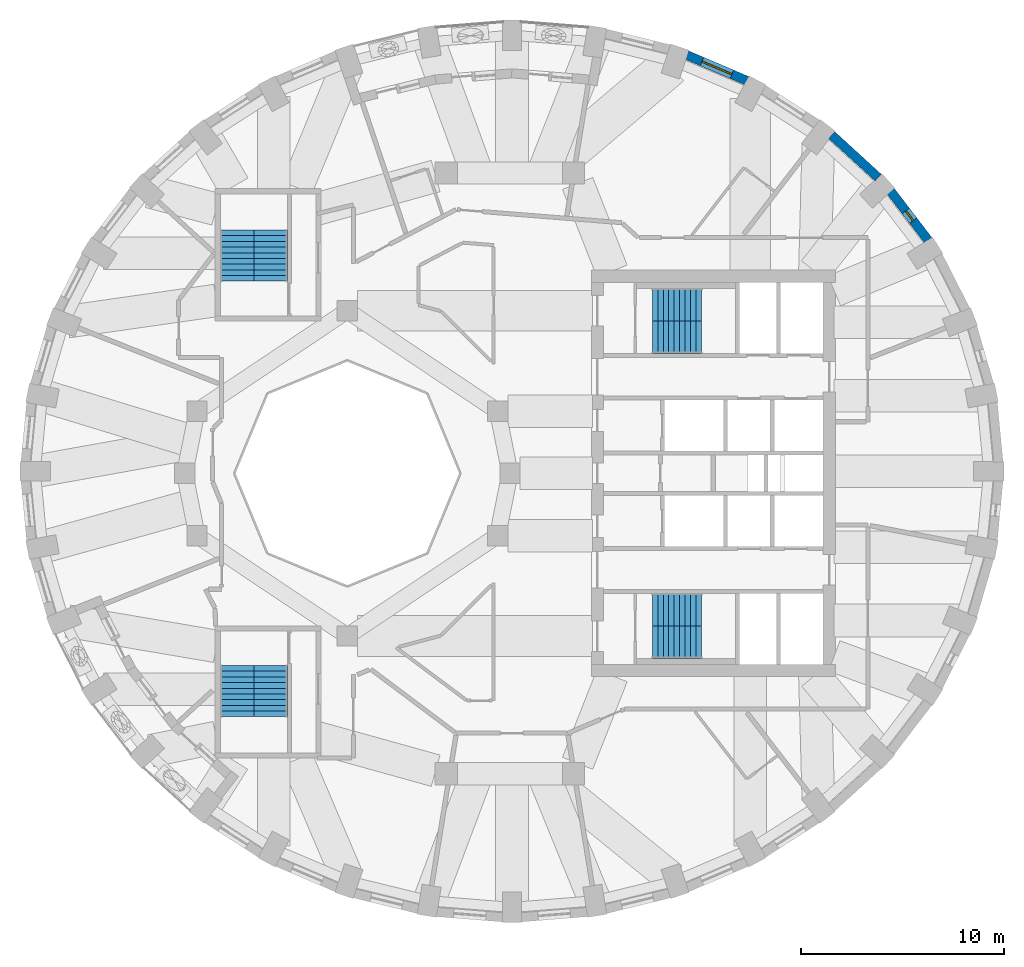
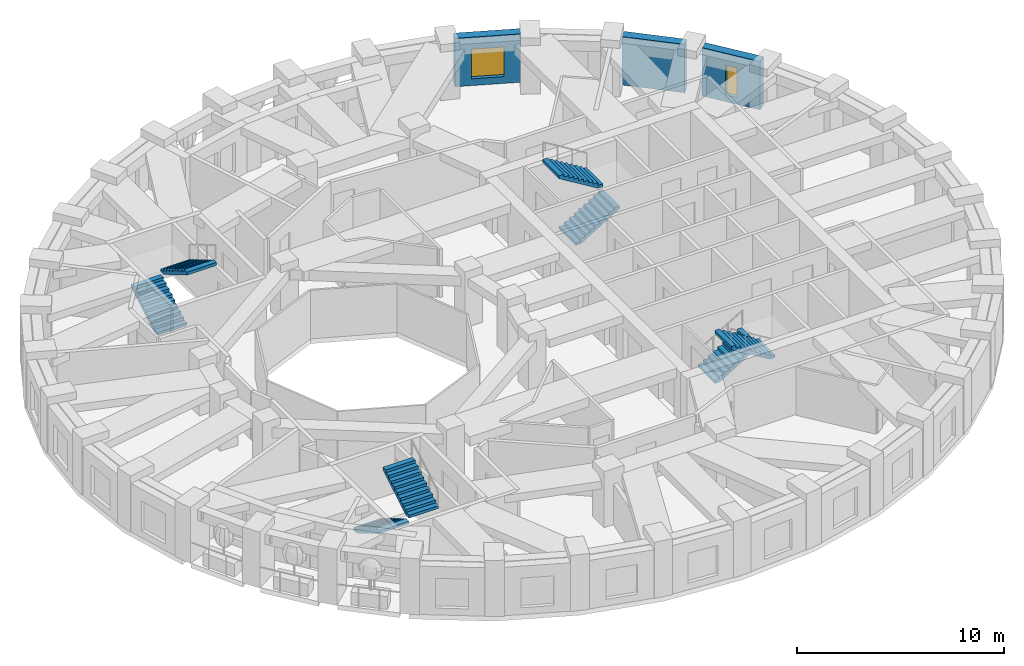
# One storey, part 8 of 11: 8 stair flights, 3 walls, 2 windows, 2 openings, 4 elements without a shape of their own.
"""IFC4 building model written with IfcOpenShell, lengths in metres."""

from ifc_helpers import new_model, si_unit, direction, frame, frame_2d, origin, place, context, subcontext, project, spatial, polyline, rectangle, outline, extrude, material, layer, layer_set, type_object, element, fill, aggregate, save


model = new_model("IFC4")

# Units and contexts
model_context = context("Model", 3, precision=1e-05, world=origin(), true_north=direction((0.0, 1.0)))
body_context = subcontext(model_context, "Body", "Model", "MODEL_VIEW")
ifc_project = project(units=[si_unit("LENGTHUNIT", "METRE"), si_unit("AREAUNIT", "SQUARE_METRE"), si_unit("VOLUMEUNIT", "CUBIC_METRE"), si_unit("PLANEANGLEUNIT", "RADIAN"), si_unit("MASSUNIT", "GRAM", prefix="KILO")], contexts=[model_context])

# Site, building, storey
site_placement = place(None, origin())
site = spatial("IfcSite", under=ifc_project, at=site_placement, CompositionType="ELEMENT")
building_placement = place(site_placement, origin())
building = spatial("IfcBuilding", under=site, at=building_placement, Name="Taillehof Tower", CompositionType="ELEMENT")
storey_placement = place(building_placement, frame((0.0, 0.0, 181.39990234375)))
storey = spatial("IfcBuildingStorey", under=building, at=storey_placement, Name="L51", CompositionType="ELEMENT", Elevation=181.39990234375)

# Wall, opening, window
ifc_material_1 = material(Name="Brick masonry", Category="masonry")
ifc_layer = layer(ifc_material_1, 0.449951171875)
ifc_layer_set = layer_set([ifc_layer], Name="Brick infill wall 450")
wall_type = type_object("IfcWallType", Name="Brick infill wall 450", PredefinedType="SOLIDWALL", material=ifc_layer_set)
wall_1_placement = place(storey_placement, frame((20.573974609375, 11.467041015625, 0.0), z_axis=(0.0, 0.0, 1.0), x_axis=(-0.607817056371, 0.794077090706, 0.0)))
wall_1 = element("IfcWall", 1, at=wall_1_placement, inside=storey, type_object=wall_type, Name="Brick wall L51 bay 4", PredefinedType="SOLIDWALL", context=body_context, shape_type="SweptSolid", body=[
    extrude(rectangle(XDim=3.037109375, YDim=0.449951171875, at=frame_2d((1.5185546875, 0.0))), origin(), (0.0, 0.0, 1.0), 2.85009765625),
])
opening_1_placement = place(wall_1_placement, frame((1.218505859375, 0.0, 0.39990234375)))
opening_1 = element("IfcOpeningElement", 2, at=opening_1_placement, cuts=wall_1, Name="Opening W6", PredefinedType="OPENING", context=body_context, shape_type="SweptSolid", body=[
    extrude(rectangle(XDim=0.60009765625, YDim=1.75, at=frame_2d((0.300048828125, 0.875))), frame((0.0, 0.23486328125, 0.0), z_axis=(0.0, -1.0, 0.0), x_axis=(1.0, 0.0, 0.0)), (0.0, 0.0, 1.0), 0.469970703125),
])
ifc_material_2 = material(Name="Aluminium window frame with clear double glazing", Category="aluminium")
window_type_1 = type_object("IfcWindowType", Name="Slot window 600x1750", PartitioningType="SINGLE_PANEL", PredefinedType="WINDOW", material=ifc_material_2)
window_1_placement = place(opening_1_placement, origin())
window_1 = element("IfcWindow", 3, at=window_1_placement, inside=storey, type_object=window_type_1, Name="W6", OverallHeight=1.75, OverallWidth=0.60009765625, PartitioningType="SINGLE_PANEL", PredefinedType="WINDOW", context=body_context, shape_type="SweptSolid", body=[
    extrude(rectangle(XDim=0.60009765625, YDim=1.75, at=frame_2d((0.300048828125, 0.875))), frame((0.0, 0.034912109375, 0.0), z_axis=(0.0, -1.0, 0.0), x_axis=(1.0, 0.0, 0.0)), (0.0, 0.0, 1.0), 0.06005859375),
])
fill(opening_1, window_1)

# Wall
wall_2_placement = place(storey_placement, frame((18.11328125, 14.5498046875, 0.0), z_axis=(0.0, 0.0, 1.0), x_axis=(-0.737808755941, 0.675009807082, 0.0)))
element("IfcWall", 4, at=wall_2_placement, inside=storey, type_object=wall_type, Name="Brick wall L51 bay 5", PredefinedType="SOLIDWALL", context=body_context, shape_type="SweptSolid", body=[
    extrude(rectangle(XDim=3.094482421875, YDim=0.449951171875, at=frame_2d((1.54736328125, 0.0))), origin(), (0.0, 0.0, 1.0), 2.85009765625),
])

# Wall, opening, window
wall_3_placement = place(storey_placement, frame((11.650390625, 19.318603515625, 0.0), z_axis=(0.0, 0.0, 1.0), x_axis=(-0.91981046949, 0.392362969986, 0.0)))
wall_3 = element("IfcWall", 5, at=wall_3_placement, inside=storey, type_object=wall_type, Name="Brick wall L51 bay 7", PredefinedType="SOLIDWALL", context=body_context, shape_type="SweptSolid", body=[
    extrude(rectangle(XDim=3.20068359375, YDim=0.449951171875, at=frame_2d((1.600341796875, 0.0))), origin(), (0.0, 0.0, 1.0), 2.85009765625),
])
opening_2_placement = place(wall_3_placement, frame((0.80029296875, 0.0, 0.39990234375)))
opening_2 = element("IfcOpeningElement", 6, at=opening_2_placement, cuts=wall_3, Name="Opening W3", PredefinedType="OPENING", context=body_context, shape_type="SweptSolid", body=[
    extrude(rectangle(XDim=1.60009765625, YDim=1.75, at=frame_2d((0.800048828125, 0.875))), frame((0.0, 0.23486328125, 0.0), z_axis=(0.0, -1.0, 0.0), x_axis=(1.0, 0.0, 0.0)), (0.0, 0.0, 1.0), 0.469970703125),
])
ifc_material_3 = material(Name="Aluminium window frame with clear double glazing", Category="aluminium")
window_type_2 = type_object("IfcWindowType", Name="Deep-set window 1600x1750", PartitioningType="SINGLE_PANEL", PredefinedType="WINDOW", material=ifc_material_3)
window_2_placement = place(opening_2_placement, origin())
window_2 = element("IfcWindow", 7, at=window_2_placement, inside=storey, type_object=window_type_2, Name="W3", OverallHeight=1.75, OverallWidth=1.60009765625, PartitioningType="SINGLE_PANEL", PredefinedType="WINDOW", context=body_context, shape_type="SweptSolid", body=[
    extrude(rectangle(XDim=1.60009765625, YDim=1.75, at=frame_2d((0.800048828125, 0.875))), frame((0.0, 0.034912109375, 0.0), z_axis=(0.0, -1.0, 0.0), x_axis=(1.0, 0.0, 0.0)), (0.0, 0.0, 1.0), 0.06005859375),
])
fill(opening_2, window_2)

# Stair, stair flights
ifc_material_4 = material(Name="Concrete C40/50", Category="concrete")
stair_type = type_object("IfcStairType", Name="Exit stair half-turn", PredefinedType="HALF_TURN_STAIR", material=ifc_material_4)
stair_1_placement = place(storey_placement, origin())
stair_1 = element("IfcStair", 8, at=stair_1_placement, inside=storey, type_object=stair_type, Name="Exit stair S1", PredefinedType="HALF_TURN_STAIR")
ifc_material_5 = material(Name="Concrete C40/50", Category="concrete")
stair_flight_type_1 = type_object("IfcStairFlightType", Name="Stair flight 1600 riser 165.0 going 270", PredefinedType="STRAIGHT", material=ifc_material_5)
stair_flight_1_placement = place(storey_placement, frame((7.0, 6.699951171875, 0.0), z_axis=(0.0, 0.0, 1.0), x_axis=(1.0, 0.0, 0.0)))
stair_flight_1 = element("IfcStairFlight", 9, at=stair_flight_1_placement, type_object=stair_flight_type_1, Name="S1 flight 1", NumberOfRisers=10, NumberOfTreads=9, PredefinedType="STRAIGHT", RiserHeight=0.165, TreadLength=0.27, context=body_context, shape_type="SweptSolid", body=[
    extrude(outline(polyline([(0.0, 0.0), (0.0, 0.00537109375), (0.0, 0.0107421875), (0.0, 0.015869140625), (0.0, 0.021240234375), (0.0, 0.026611328125), (0.0, 0.031982421875), (0.0, 0.037353515625), (0.0, 0.04248046875), (0.0, 0.0478515625), (0.0, 0.05322265625), (0.0, 0.05859375), (0.0, 0.06396484375), (0.0, 0.069091796875), (0.0, 0.074462890625), (0.0, 0.079833984375), (0.0, 0.085205078125), (0.0, 0.090576171875), (0.0, 0.095703125), (0.0, 0.10107421875), (0.0, 0.1064453125), (0.0, 0.11181640625), (0.0, 0.1171875), (0.0, 0.122314453125), (0.0, 0.127685546875), (0.0, 0.133056640625), (0.0, 0.138427734375), (0.0, 0.143798828125), (0.0, 0.14892578125), (0.0, 0.154296875), (0.0, 0.15966796875), (0.0, 0.1650390625), (0.27001953125, 0.1650390625), (0.27001953125, 0.330078125), (0.5400390625, 0.330078125), (0.5400390625, 0.4951171875), (0.81005859375, 0.4951171875), (0.81005859375, 0.659912109375), (1.080078125, 0.659912109375), (1.080078125, 0.824951171875), (1.35009765625, 0.824951171875), (1.35009765625, 0.989990234375), (1.6201171875, 0.989990234375), (1.6201171875, 1.155029296875), (1.889892578125, 1.155029296875), (1.889892578125, 1.320068359375), (2.159912109375, 1.320068359375), (2.159912109375, 1.485107421875), (2.429931640625, 1.485107421875), (2.429931640625, 1.479248046875), (2.429931640625, 1.4736328125), (2.429931640625, 1.468017578125), (2.429931640625, 1.46240234375), (2.429931640625, 1.45654296875), (2.429931640625, 1.450927734375), (2.429931640625, 1.4453125), (2.429931640625, 1.439697265625), (2.429931640625, 1.43408203125), (2.429931640625, 1.42822265625), (2.429931640625, 1.422607421875), (2.429931640625, 1.4169921875), (2.429931640625, 1.411376953125), (2.429931640625, 1.40576171875), (2.429931640625, 1.39990234375), (2.429931640625, 1.394287109375), (2.429931640625, 1.388671875), (2.429931640625, 1.383056640625), (2.429931640625, 1.37744140625), (2.429931640625, 1.37158203125), (2.429931640625, 1.365966796875), (2.429931640625, 1.3603515625), (2.429931640625, 1.354736328125), (2.429931640625, 1.348876953125), (2.429931640625, 1.34326171875), (2.429931640625, 1.337646484375), (2.429931640625, 1.33203125), (2.429931640625, 1.326416015625), (2.429931640625, 1.320556640625), (2.429931640625, 1.31494140625), (2.429931640625, 1.309326171875), (0.287353515625, 0.0), (0.0, 0.0)])), frame((0.0, 0.800048828125, 0.0), z_axis=(0.0, -1.0, 0.0), x_axis=(1.0, 0.0, 0.0)), (0.0, 0.0, 1.0), 1.6),
])
stair_flight_2_placement = place(storey_placement, frame((9.429931640625, 8.300048828125, 1.650146484375), z_axis=(0.0, 0.0, 1.0), x_axis=(-1.0, 0.0, 0.0)))
stair_flight_2 = element("IfcStairFlight", 10, at=stair_flight_2_placement, type_object=stair_flight_type_1, Name="S1 flight 2", NumberOfRisers=10, NumberOfTreads=9, PredefinedType="STRAIGHT", RiserHeight=0.165, TreadLength=0.27, context=body_context, shape_type="SweptSolid", body=[
    extrude(outline(polyline([(0.0, 0.0), (0.0, 0.00537109375), (0.0, 0.0107421875), (0.0, 0.015869140625), (0.0, 0.021240234375), (0.0, 0.026611328125), (0.0, 0.031982421875), (0.0, 0.037353515625), (0.0, 0.04248046875), (0.0, 0.0478515625), (0.0, 0.05322265625), (0.0, 0.05859375), (0.0, 0.06396484375), (0.0, 0.069091796875), (0.0, 0.074462890625), (0.0, 0.079833984375), (0.0, 0.085205078125), (0.0, 0.090576171875), (0.0, 0.095703125), (0.0, 0.10107421875), (0.0, 0.1064453125), (0.0, 0.11181640625), (0.0, 0.1171875), (0.0, 0.122314453125), (0.0, 0.127685546875), (0.0, 0.133056640625), (0.0, 0.138427734375), (0.0, 0.143798828125), (0.0, 0.14892578125), (0.0, 0.154296875), (0.0, 0.15966796875), (0.0, 0.1650390625), (0.27001953125, 0.1650390625), (0.27001953125, 0.330078125), (0.5400390625, 0.330078125), (0.5400390625, 0.4951171875), (0.81005859375, 0.4951171875), (0.81005859375, 0.659912109375), (1.080078125, 0.659912109375), (1.080078125, 0.824951171875), (1.35009765625, 0.824951171875), (1.35009765625, 0.989990234375), (1.6201171875, 0.989990234375), (1.6201171875, 1.155029296875), (1.889892578125, 1.155029296875), (1.889892578125, 1.320068359375), (2.159912109375, 1.320068359375), (2.159912109375, 1.485107421875), (2.429931640625, 1.485107421875), (2.429931640625, 1.479248046875), (2.429931640625, 1.4736328125), (2.429931640625, 1.468017578125), (2.429931640625, 1.46240234375), (2.429931640625, 1.45654296875), (2.429931640625, 1.450927734375), (2.429931640625, 1.4453125), (2.429931640625, 1.439697265625), (2.429931640625, 1.43408203125), (2.429931640625, 1.42822265625), (2.429931640625, 1.422607421875), (2.429931640625, 1.4169921875), (2.429931640625, 1.411376953125), (2.429931640625, 1.40576171875), (2.429931640625, 1.39990234375), (2.429931640625, 1.394287109375), (2.429931640625, 1.388671875), (2.429931640625, 1.383056640625), (2.429931640625, 1.37744140625), (2.429931640625, 1.37158203125), (2.429931640625, 1.365966796875), (2.429931640625, 1.3603515625), (2.429931640625, 1.354736328125), (2.429931640625, 1.348876953125), (2.429931640625, 1.34326171875), (2.429931640625, 1.337646484375), (2.429931640625, 1.33203125), (2.429931640625, 1.326416015625), (2.429931640625, 1.320556640625), (2.429931640625, 1.31494140625), (2.429931640625, 1.309326171875), (0.287353515625, 0.0), (0.0, 0.0)])), frame((0.0, 0.800048828125, 0.0), z_axis=(0.0, -1.0, 0.0), x_axis=(1.0, 0.0, 0.0)), (0.0, 0.0, 1.0), 1.6),
])
aggregate(stair_1, [stair_flight_1, stair_flight_2])

stair_2_placement = place(storey_placement, origin())
stair_2 = element("IfcStair", 11, at=stair_2_placement, inside=storey, type_object=stair_type, Name="Exit stair S2", PredefinedType="HALF_TURN_STAIR")
stair_flight_3_placement = place(storey_placement, frame((7.0, -6.699951171875, 0.0), z_axis=(0.0, 0.0, 1.0), x_axis=(1.0, 0.0, 0.0)))
stair_flight_3 = element("IfcStairFlight", 12, at=stair_flight_3_placement, type_object=stair_flight_type_1, Name="S2 flight 1", NumberOfRisers=10, NumberOfTreads=9, PredefinedType="STRAIGHT", RiserHeight=0.165, TreadLength=0.27, context=body_context, shape_type="SweptSolid", body=[
    extrude(outline(polyline([(0.0, 0.0), (0.0, 0.00537109375), (0.0, 0.0107421875), (0.0, 0.015869140625), (0.0, 0.021240234375), (0.0, 0.026611328125), (0.0, 0.031982421875), (0.0, 0.037353515625), (0.0, 0.04248046875), (0.0, 0.0478515625), (0.0, 0.05322265625), (0.0, 0.05859375), (0.0, 0.06396484375), (0.0, 0.069091796875), (0.0, 0.074462890625), (0.0, 0.079833984375), (0.0, 0.085205078125), (0.0, 0.090576171875), (0.0, 0.095703125), (0.0, 0.10107421875), (0.0, 0.1064453125), (0.0, 0.11181640625), (0.0, 0.1171875), (0.0, 0.122314453125), (0.0, 0.127685546875), (0.0, 0.133056640625), (0.0, 0.138427734375), (0.0, 0.143798828125), (0.0, 0.14892578125), (0.0, 0.154296875), (0.0, 0.15966796875), (0.0, 0.1650390625), (0.27001953125, 0.1650390625), (0.27001953125, 0.330078125), (0.5400390625, 0.330078125), (0.5400390625, 0.4951171875), (0.81005859375, 0.4951171875), (0.81005859375, 0.659912109375), (1.080078125, 0.659912109375), (1.080078125, 0.824951171875), (1.35009765625, 0.824951171875), (1.35009765625, 0.989990234375), (1.6201171875, 0.989990234375), (1.6201171875, 1.155029296875), (1.889892578125, 1.155029296875), (1.889892578125, 1.320068359375), (2.159912109375, 1.320068359375), (2.159912109375, 1.485107421875), (2.429931640625, 1.485107421875), (2.429931640625, 1.479248046875), (2.429931640625, 1.4736328125), (2.429931640625, 1.468017578125), (2.429931640625, 1.46240234375), (2.429931640625, 1.45654296875), (2.429931640625, 1.450927734375), (2.429931640625, 1.4453125), (2.429931640625, 1.439697265625), (2.429931640625, 1.43408203125), (2.429931640625, 1.42822265625), (2.429931640625, 1.422607421875), (2.429931640625, 1.4169921875), (2.429931640625, 1.411376953125), (2.429931640625, 1.40576171875), (2.429931640625, 1.39990234375), (2.429931640625, 1.394287109375), (2.429931640625, 1.388671875), (2.429931640625, 1.383056640625), (2.429931640625, 1.37744140625), (2.429931640625, 1.37158203125), (2.429931640625, 1.365966796875), (2.429931640625, 1.3603515625), (2.429931640625, 1.354736328125), (2.429931640625, 1.348876953125), (2.429931640625, 1.34326171875), (2.429931640625, 1.337646484375), (2.429931640625, 1.33203125), (2.429931640625, 1.326416015625), (2.429931640625, 1.320556640625), (2.429931640625, 1.31494140625), (2.429931640625, 1.309326171875), (0.287353515625, 0.0), (0.0, 0.0)])), frame((0.0, 0.800048828125, 0.0), z_axis=(0.0, -1.0, 0.0), x_axis=(1.0, 0.0, 0.0)), (0.0, 0.0, 1.0), 1.6),
])
stair_flight_4_placement = place(storey_placement, frame((9.429931640625, -8.300048828125, 1.650146484375), z_axis=(0.0, 0.0, 1.0), x_axis=(-1.0, 0.0, 0.0)))
stair_flight_4 = element("IfcStairFlight", 13, at=stair_flight_4_placement, type_object=stair_flight_type_1, Name="S2 flight 2", NumberOfRisers=10, NumberOfTreads=9, PredefinedType="STRAIGHT", RiserHeight=0.165, TreadLength=0.27, context=body_context, shape_type="SweptSolid", body=[
    extrude(outline(polyline([(0.0, 0.0), (0.0, 0.00537109375), (0.0, 0.0107421875), (0.0, 0.015869140625), (0.0, 0.021240234375), (0.0, 0.026611328125), (0.0, 0.031982421875), (0.0, 0.037353515625), (0.0, 0.04248046875), (0.0, 0.0478515625), (0.0, 0.05322265625), (0.0, 0.05859375), (0.0, 0.06396484375), (0.0, 0.069091796875), (0.0, 0.074462890625), (0.0, 0.079833984375), (0.0, 0.085205078125), (0.0, 0.090576171875), (0.0, 0.095703125), (0.0, 0.10107421875), (0.0, 0.1064453125), (0.0, 0.11181640625), (0.0, 0.1171875), (0.0, 0.122314453125), (0.0, 0.127685546875), (0.0, 0.133056640625), (0.0, 0.138427734375), (0.0, 0.143798828125), (0.0, 0.14892578125), (0.0, 0.154296875), (0.0, 0.15966796875), (0.0, 0.1650390625), (0.27001953125, 0.1650390625), (0.27001953125, 0.330078125), (0.5400390625, 0.330078125), (0.5400390625, 0.4951171875), (0.81005859375, 0.4951171875), (0.81005859375, 0.659912109375), (1.080078125, 0.659912109375), (1.080078125, 0.824951171875), (1.35009765625, 0.824951171875), (1.35009765625, 0.989990234375), (1.6201171875, 0.989990234375), (1.6201171875, 1.155029296875), (1.889892578125, 1.155029296875), (1.889892578125, 1.320068359375), (2.159912109375, 1.320068359375), (2.159912109375, 1.485107421875), (2.429931640625, 1.485107421875), (2.429931640625, 1.479248046875), (2.429931640625, 1.4736328125), (2.429931640625, 1.468017578125), (2.429931640625, 1.46240234375), (2.429931640625, 1.45654296875), (2.429931640625, 1.450927734375), (2.429931640625, 1.4453125), (2.429931640625, 1.439697265625), (2.429931640625, 1.43408203125), (2.429931640625, 1.42822265625), (2.429931640625, 1.422607421875), (2.429931640625, 1.4169921875), (2.429931640625, 1.411376953125), (2.429931640625, 1.40576171875), (2.429931640625, 1.39990234375), (2.429931640625, 1.394287109375), (2.429931640625, 1.388671875), (2.429931640625, 1.383056640625), (2.429931640625, 1.37744140625), (2.429931640625, 1.37158203125), (2.429931640625, 1.365966796875), (2.429931640625, 1.3603515625), (2.429931640625, 1.354736328125), (2.429931640625, 1.348876953125), (2.429931640625, 1.34326171875), (2.429931640625, 1.337646484375), (2.429931640625, 1.33203125), (2.429931640625, 1.326416015625), (2.429931640625, 1.320556640625), (2.429931640625, 1.31494140625), (2.429931640625, 1.309326171875), (0.287353515625, 0.0), (0.0, 0.0)])), frame((0.0, 0.800048828125, 0.0), z_axis=(0.0, -1.0, 0.0), x_axis=(1.0, 0.0, 0.0)), (0.0, 0.0, 1.0), 1.6),
])
aggregate(stair_2, [stair_flight_3, stair_flight_4])

stair_3_placement = place(storey_placement, origin())
stair_3 = element("IfcStair", 14, at=stair_3_placement, inside=storey, type_object=stair_type, Name="Exit stair S3", PredefinedType="HALF_TURN_STAIR")
ifc_material_6 = material(Name="Concrete C40/50", Category="concrete")
stair_flight_type_2 = type_object("IfcStairFlightType", Name="Stair flight 1650 riser 165.0 going 280", PredefinedType="STRAIGHT", material=ifc_material_6)
stair_flight_5_placement = place(storey_placement, frame((-13.425048828125, 9.449951171875, 0.0), z_axis=(0.0, 0.0, 1.0), x_axis=(0.0, 1.0, 0.0)))
stair_flight_5 = element("IfcStairFlight", 15, at=stair_flight_5_placement, type_object=stair_flight_type_2, Name="S3 flight 1", NumberOfRisers=10, NumberOfTreads=9, PredefinedType="STRAIGHT", RiserHeight=0.165, TreadLength=0.28, context=body_context, shape_type="SweptSolid", body=[
    extrude(outline(polyline([(0.0, 0.0), (0.0, 0.00537109375), (0.0, 0.0107421875), (0.0, 0.015869140625), (0.0, 0.021240234375), (0.0, 0.026611328125), (0.0, 0.031982421875), (0.0, 0.037353515625), (0.0, 0.04248046875), (0.0, 0.0478515625), (0.0, 0.05322265625), (0.0, 0.05859375), (0.0, 0.06396484375), (0.0, 0.069091796875), (0.0, 0.074462890625), (0.0, 0.079833984375), (0.0, 0.085205078125), (0.0, 0.090576171875), (0.0, 0.095703125), (0.0, 0.10107421875), (0.0, 0.1064453125), (0.0, 0.11181640625), (0.0, 0.1171875), (0.0, 0.122314453125), (0.0, 0.127685546875), (0.0, 0.133056640625), (0.0, 0.138427734375), (0.0, 0.143798828125), (0.0, 0.14892578125), (0.0, 0.154296875), (0.0, 0.15966796875), (0.0, 0.1650390625), (0.280029296875, 0.1650390625), (0.280029296875, 0.330078125), (0.56005859375, 0.330078125), (0.56005859375, 0.4951171875), (0.840087890625, 0.4951171875), (0.840087890625, 0.659912109375), (1.1201171875, 0.659912109375), (1.1201171875, 0.824951171875), (1.39990234375, 0.824951171875), (1.39990234375, 0.989990234375), (1.679931640625, 0.989990234375), (1.679931640625, 1.155029296875), (1.9599609375, 1.155029296875), (1.9599609375, 1.320068359375), (2.239990234375, 1.320068359375), (2.239990234375, 1.485107421875), (2.52001953125, 1.485107421875), (2.52001953125, 1.4794921875), (2.52001953125, 1.473876953125), (2.52001953125, 1.46826171875), (2.52001953125, 1.462646484375), (2.52001953125, 1.45703125), (2.52001953125, 1.451416015625), (2.52001953125, 1.44580078125), (2.52001953125, 1.440185546875), (2.52001953125, 1.4345703125), (2.52001953125, 1.428955078125), (2.52001953125, 1.42333984375), (2.52001953125, 1.417724609375), (2.52001953125, 1.412109375), (2.52001953125, 1.406494140625), (2.52001953125, 1.40087890625), (2.52001953125, 1.395263671875), (2.52001953125, 1.3896484375), (2.52001953125, 1.384033203125), (2.52001953125, 1.37841796875), (2.52001953125, 1.372802734375), (2.52001953125, 1.3671875), (2.52001953125, 1.361572265625), (2.52001953125, 1.35595703125), (2.52001953125, 1.350341796875), (2.52001953125, 1.3447265625), (2.52001953125, 1.339111328125), (2.52001953125, 1.33349609375), (2.52001953125, 1.327880859375), (2.52001953125, 1.322265625), (2.52001953125, 1.316650390625), (2.52001953125, 1.31103515625), (0.295166015625, 0.0), (0.0, 0.0)])), frame((0.0, 0.824951171875, 0.0), z_axis=(0.0, -1.0, 0.0), x_axis=(1.0, 0.0, 0.0)), (0.0, 0.0, 1.0), 1.65),
])
stair_flight_6_placement = place(storey_placement, frame((-11.77490234375, 11.969970703125, 1.650146484375), z_axis=(0.0, 0.0, 1.0), x_axis=(0.0, -1.0, 0.0)))
stair_flight_6 = element("IfcStairFlight", 16, at=stair_flight_6_placement, type_object=stair_flight_type_2, Name="S3 flight 2", NumberOfRisers=10, NumberOfTreads=9, PredefinedType="STRAIGHT", RiserHeight=0.165, TreadLength=0.28, context=body_context, shape_type="SweptSolid", body=[
    extrude(outline(polyline([(0.0, 0.0), (0.0, 0.00537109375), (0.0, 0.0107421875), (0.0, 0.015869140625), (0.0, 0.021240234375), (0.0, 0.026611328125), (0.0, 0.031982421875), (0.0, 0.037353515625), (0.0, 0.04248046875), (0.0, 0.0478515625), (0.0, 0.05322265625), (0.0, 0.05859375), (0.0, 0.06396484375), (0.0, 0.069091796875), (0.0, 0.074462890625), (0.0, 0.079833984375), (0.0, 0.085205078125), (0.0, 0.090576171875), (0.0, 0.095703125), (0.0, 0.10107421875), (0.0, 0.1064453125), (0.0, 0.11181640625), (0.0, 0.1171875), (0.0, 0.122314453125), (0.0, 0.127685546875), (0.0, 0.133056640625), (0.0, 0.138427734375), (0.0, 0.143798828125), (0.0, 0.14892578125), (0.0, 0.154296875), (0.0, 0.15966796875), (0.0, 0.1650390625), (0.280029296875, 0.1650390625), (0.280029296875, 0.330078125), (0.56005859375, 0.330078125), (0.56005859375, 0.4951171875), (0.840087890625, 0.4951171875), (0.840087890625, 0.659912109375), (1.1201171875, 0.659912109375), (1.1201171875, 0.824951171875), (1.39990234375, 0.824951171875), (1.39990234375, 0.989990234375), (1.679931640625, 0.989990234375), (1.679931640625, 1.155029296875), (1.9599609375, 1.155029296875), (1.9599609375, 1.320068359375), (2.239990234375, 1.320068359375), (2.239990234375, 1.485107421875), (2.52001953125, 1.485107421875), (2.52001953125, 1.4794921875), (2.52001953125, 1.473876953125), (2.52001953125, 1.46826171875), (2.52001953125, 1.462646484375), (2.52001953125, 1.45703125), (2.52001953125, 1.451416015625), (2.52001953125, 1.44580078125), (2.52001953125, 1.440185546875), (2.52001953125, 1.4345703125), (2.52001953125, 1.428955078125), (2.52001953125, 1.42333984375), (2.52001953125, 1.417724609375), (2.52001953125, 1.412109375), (2.52001953125, 1.406494140625), (2.52001953125, 1.40087890625), (2.52001953125, 1.395263671875), (2.52001953125, 1.3896484375), (2.52001953125, 1.384033203125), (2.52001953125, 1.37841796875), (2.52001953125, 1.372802734375), (2.52001953125, 1.3671875), (2.52001953125, 1.361572265625), (2.52001953125, 1.35595703125), (2.52001953125, 1.350341796875), (2.52001953125, 1.3447265625), (2.52001953125, 1.339111328125), (2.52001953125, 1.33349609375), (2.52001953125, 1.327880859375), (2.52001953125, 1.322265625), (2.52001953125, 1.316650390625), (2.52001953125, 1.31103515625), (0.295166015625, 0.0), (0.0, 0.0)])), frame((0.0, 0.824951171875, 0.0), z_axis=(0.0, -1.0, 0.0), x_axis=(1.0, 0.0, 0.0)), (0.0, 0.0, 1.0), 1.65),
])
aggregate(stair_3, [stair_flight_5, stair_flight_6])

stair_4_placement = place(storey_placement, origin())
stair_4 = element("IfcStair", 17, at=stair_4_placement, inside=storey, type_object=stair_type, Name="Exit stair S4", PredefinedType="HALF_TURN_STAIR")
stair_flight_7_placement = place(storey_placement, frame((-13.425048828125, -9.449951171875, 0.0), z_axis=(0.0, 0.0, 1.0), x_axis=(0.0, -1.0, 0.0)))
stair_flight_7 = element("IfcStairFlight", 18, at=stair_flight_7_placement, type_object=stair_flight_type_2, Name="S4 flight 1", NumberOfRisers=10, NumberOfTreads=9, PredefinedType="STRAIGHT", RiserHeight=0.165, TreadLength=0.28, context=body_context, shape_type="SweptSolid", body=[
    extrude(outline(polyline([(0.0, 0.0), (0.0, 0.00537109375), (0.0, 0.0107421875), (0.0, 0.015869140625), (0.0, 0.021240234375), (0.0, 0.026611328125), (0.0, 0.031982421875), (0.0, 0.037353515625), (0.0, 0.04248046875), (0.0, 0.0478515625), (0.0, 0.05322265625), (0.0, 0.05859375), (0.0, 0.06396484375), (0.0, 0.069091796875), (0.0, 0.074462890625), (0.0, 0.079833984375), (0.0, 0.085205078125), (0.0, 0.090576171875), (0.0, 0.095703125), (0.0, 0.10107421875), (0.0, 0.1064453125), (0.0, 0.11181640625), (0.0, 0.1171875), (0.0, 0.122314453125), (0.0, 0.127685546875), (0.0, 0.133056640625), (0.0, 0.138427734375), (0.0, 0.143798828125), (0.0, 0.14892578125), (0.0, 0.154296875), (0.0, 0.15966796875), (0.0, 0.1650390625), (0.280029296875, 0.1650390625), (0.280029296875, 0.330078125), (0.56005859375, 0.330078125), (0.56005859375, 0.4951171875), (0.840087890625, 0.4951171875), (0.840087890625, 0.659912109375), (1.1201171875, 0.659912109375), (1.1201171875, 0.824951171875), (1.39990234375, 0.824951171875), (1.39990234375, 0.989990234375), (1.679931640625, 0.989990234375), (1.679931640625, 1.155029296875), (1.9599609375, 1.155029296875), (1.9599609375, 1.320068359375), (2.239990234375, 1.320068359375), (2.239990234375, 1.485107421875), (2.52001953125, 1.485107421875), (2.52001953125, 1.4794921875), (2.52001953125, 1.473876953125), (2.52001953125, 1.46826171875), (2.52001953125, 1.462646484375), (2.52001953125, 1.45703125), (2.52001953125, 1.451416015625), (2.52001953125, 1.44580078125), (2.52001953125, 1.440185546875), (2.52001953125, 1.4345703125), (2.52001953125, 1.428955078125), (2.52001953125, 1.42333984375), (2.52001953125, 1.417724609375), (2.52001953125, 1.412109375), (2.52001953125, 1.406494140625), (2.52001953125, 1.40087890625), (2.52001953125, 1.395263671875), (2.52001953125, 1.3896484375), (2.52001953125, 1.384033203125), (2.52001953125, 1.37841796875), (2.52001953125, 1.372802734375), (2.52001953125, 1.3671875), (2.52001953125, 1.361572265625), (2.52001953125, 1.35595703125), (2.52001953125, 1.350341796875), (2.52001953125, 1.3447265625), (2.52001953125, 1.339111328125), (2.52001953125, 1.33349609375), (2.52001953125, 1.327880859375), (2.52001953125, 1.322265625), (2.52001953125, 1.316650390625), (2.52001953125, 1.31103515625), (0.295166015625, 0.0), (0.0, 0.0)])), frame((0.0, 0.824951171875, 0.0), z_axis=(0.0, -1.0, 0.0), x_axis=(1.0, 0.0, 0.0)), (0.0, 0.0, 1.0), 1.65),
])
stair_flight_8_placement = place(storey_placement, frame((-11.77490234375, -11.969970703125, 1.650146484375), z_axis=(0.0, 0.0, 1.0), x_axis=(0.0, 1.0, 0.0)))
stair_flight_8 = element("IfcStairFlight", 19, at=stair_flight_8_placement, type_object=stair_flight_type_2, Name="S4 flight 2", NumberOfRisers=10, NumberOfTreads=9, PredefinedType="STRAIGHT", RiserHeight=0.165, TreadLength=0.28, context=body_context, shape_type="SweptSolid", body=[
    extrude(outline(polyline([(0.0, 0.0), (0.0, 0.00537109375), (0.0, 0.0107421875), (0.0, 0.015869140625), (0.0, 0.021240234375), (0.0, 0.026611328125), (0.0, 0.031982421875), (0.0, 0.037353515625), (0.0, 0.04248046875), (0.0, 0.0478515625), (0.0, 0.05322265625), (0.0, 0.05859375), (0.0, 0.06396484375), (0.0, 0.069091796875), (0.0, 0.074462890625), (0.0, 0.079833984375), (0.0, 0.085205078125), (0.0, 0.090576171875), (0.0, 0.095703125), (0.0, 0.10107421875), (0.0, 0.1064453125), (0.0, 0.11181640625), (0.0, 0.1171875), (0.0, 0.122314453125), (0.0, 0.127685546875), (0.0, 0.133056640625), (0.0, 0.138427734375), (0.0, 0.143798828125), (0.0, 0.14892578125), (0.0, 0.154296875), (0.0, 0.15966796875), (0.0, 0.1650390625), (0.280029296875, 0.1650390625), (0.280029296875, 0.330078125), (0.56005859375, 0.330078125), (0.56005859375, 0.4951171875), (0.840087890625, 0.4951171875), (0.840087890625, 0.659912109375), (1.1201171875, 0.659912109375), (1.1201171875, 0.824951171875), (1.39990234375, 0.824951171875), (1.39990234375, 0.989990234375), (1.679931640625, 0.989990234375), (1.679931640625, 1.155029296875), (1.9599609375, 1.155029296875), (1.9599609375, 1.320068359375), (2.239990234375, 1.320068359375), (2.239990234375, 1.485107421875), (2.52001953125, 1.485107421875), (2.52001953125, 1.4794921875), (2.52001953125, 1.473876953125), (2.52001953125, 1.46826171875), (2.52001953125, 1.462646484375), (2.52001953125, 1.45703125), (2.52001953125, 1.451416015625), (2.52001953125, 1.44580078125), (2.52001953125, 1.440185546875), (2.52001953125, 1.4345703125), (2.52001953125, 1.428955078125), (2.52001953125, 1.42333984375), (2.52001953125, 1.417724609375), (2.52001953125, 1.412109375), (2.52001953125, 1.406494140625), (2.52001953125, 1.40087890625), (2.52001953125, 1.395263671875), (2.52001953125, 1.3896484375), (2.52001953125, 1.384033203125), (2.52001953125, 1.37841796875), (2.52001953125, 1.372802734375), (2.52001953125, 1.3671875), (2.52001953125, 1.361572265625), (2.52001953125, 1.35595703125), (2.52001953125, 1.350341796875), (2.52001953125, 1.3447265625), (2.52001953125, 1.339111328125), (2.52001953125, 1.33349609375), (2.52001953125, 1.327880859375), (2.52001953125, 1.322265625), (2.52001953125, 1.316650390625), (2.52001953125, 1.31103515625), (0.295166015625, 0.0), (0.0, 0.0)])), frame((0.0, 0.824951171875, 0.0), z_axis=(0.0, -1.0, 0.0), x_axis=(1.0, 0.0, 0.0)), (0.0, 0.0, 1.0), 1.65),
])
aggregate(stair_4, [stair_flight_7, stair_flight_8])

save(model, "model.ifc")
